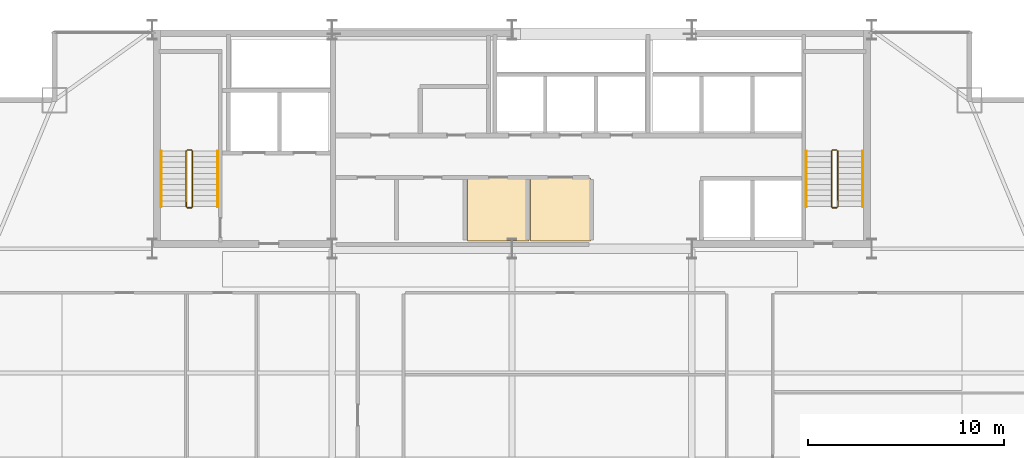
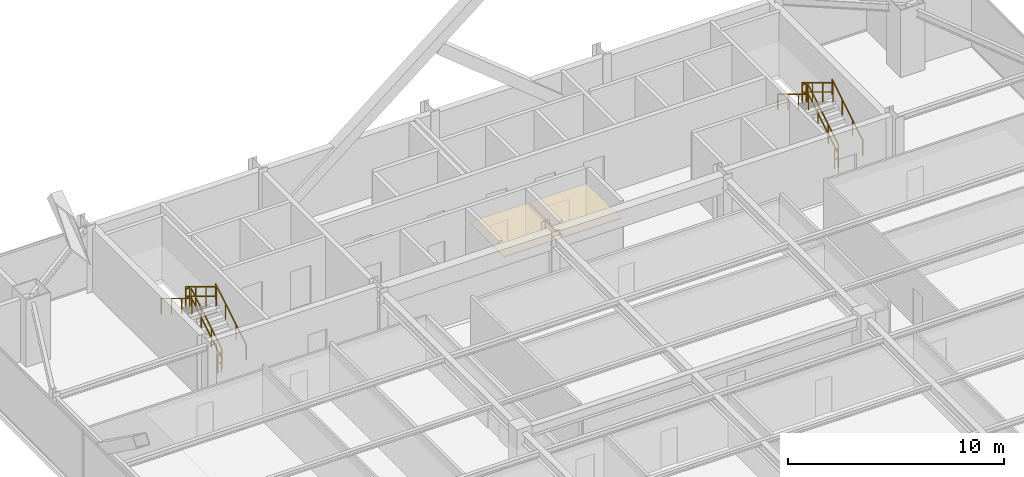
# One storey, part 34 of 34: 12 railings, 2 coverings.
"""IFC4 building model written with IfcOpenShell, lengths in metres."""

from ifc_helpers import new_model, si_unit, direction, frame, origin, origin_2d, place, context, subcontext, project, spatial, polyline, rectangle, outline, extrude, material, layer, layer_set, type_object, element, save


model = new_model("IFC4")

# Units and contexts
model_context = context("Model", 3, precision=1e-05, world=origin(), true_north=direction((0.0, 1.0)))
body_context = subcontext(model_context, "Body", "Model", "MODEL_VIEW")
ifc_project = project(units=[si_unit("LENGTHUNIT", "METRE"), si_unit("AREAUNIT", "SQUARE_METRE"), si_unit("VOLUMEUNIT", "CUBIC_METRE"), si_unit("PLANEANGLEUNIT", "RADIAN"), si_unit("MASSUNIT", "GRAM", prefix="KILO")], contexts=[model_context])

# Site, building, storey
site_placement = place(None, origin())
site = spatial("IfcSite", under=ifc_project, at=site_placement, CompositionType="ELEMENT")
building_placement = place(site_placement, origin())
building = spatial("IfcBuilding", under=site, at=building_placement, Name="Varnel Quay Broadcast Tower", CompositionType="ELEMENT")
storey_placement = place(building_placement, frame((0.0, 0.0, 176.199951171875)))
storey = spatial("IfcBuildingStorey", under=building, at=storey_placement, Name="L43", CompositionType="ELEMENT", Elevation=176.199951171875)

# Coverings
ifc_material_1 = material(Name="Micro-Perforated Acoustic Ceiling Tile")
ifc_layer = layer(ifc_material_1, 0.0400390625, Name="Micro-Perforated Acoustic Ceiling Tile")
ifc_layer_set = layer_set([ifc_layer], Name="Micro-Perforated Acoustic Ceiling Tile")
covering_type = type_object("IfcCoveringType", Name="Cov_AcousticCeiling", PredefinedType="CEILING", material=ifc_layer_set)
covering_1_placement = place(storey_placement, frame((0.0, 0.0, 2.580078125)))
element("IfcCovering", 1, at=covering_1_placement, inside=storey, type_object=covering_type, Name="L43 Broadcast First-Aid & Quiet Room Acoustic Ceiling", PredefinedType="CEILING", context=body_context, shape_type="SweptSolid", body=[
    extrude(outline(polyline([(31.735107421875, 35.985107421875), (34.864990234375, 35.985107421875), (34.864990234375, 39.215087890625), (31.735107421875, 39.215087890625), (31.735107421875, 35.985107421875)])), origin(), (0.0, 0.0, 1.0), 0.0400390625),
])
covering_2_placement = place(storey_placement, frame((0.0, 0.0, 2.580078125)))
element("IfcCovering", 2, at=covering_2_placement, inside=storey, type_object=covering_type, Name="L43 Zone Lighting Dimmer Room Acoustic Ceiling", PredefinedType="CEILING", context=body_context, shape_type="SweptSolid", body=[
    extrude(outline(polyline([(34.93505859375, 35.985107421875), (38.014892578125, 35.985107421875), (38.014892578125, 39.215087890625), (34.93505859375, 39.215087890625), (34.93505859375, 35.985107421875)])), origin(), (0.0, 0.0, 1.0), 0.0400390625),
])

# Railings
ifc_material_2 = material(Name="Painted Steel Guard and Handrail CSA G40.21 350W", Category="steel")
railing_type_1 = type_object("IfcRailingType", Name="Rail_StairGuard1100", PredefinedType="GUARDRAIL", material=ifc_material_2)
railing_1_placement = place(storey_placement, frame((17.64990234375, 37.75, 0.1728515625)))
element("IfcRailing", 3, at=railing_1_placement, inside=storey, type_object=railing_type_1, Name="L43 ST-01 stair guard 1", PredefinedType="GUARDRAIL", context=body_context, shape_type="SweptSolid", body=[
    extrude(rectangle(XDim=0.048095703125, YDim=0.048095703125, at=origin_2d()), frame((0.0, 0.0, 1.076171875), z_axis=(0.0, 0.855202751398, 0.518293598264), x_axis=(-1.0, 0.0, 0.0)), (0.0, 0.0, 1.0), 3.332763671875),
    extrude(rectangle(XDim=0.048095703125, YDim=0.048095703125, at=origin_2d()), frame((0.0, 0.0, 0.550048828125), z_axis=(0.0, 0.855202751398, 0.518293598264), x_axis=(-1.0, 0.0, 0.0)), (0.0, 0.0, 1.0), 3.332763671875),
    extrude(rectangle(XDim=0.0419921875, YDim=0.0419921875, at=origin_2d()), origin(), (0.0, 0.0, 1.0), 1.052001953125),
    extrude(rectangle(XDim=0.0419921875, YDim=0.0419921875, at=origin_2d()), frame((0.0, 0.949951171875, 0.57568359375)), (0.0, 0.0, 1.0), 1.052001953125),
    extrude(rectangle(XDim=0.0419921875, YDim=0.0419921875, at=origin_2d()), frame((0.0, 1.900146484375, 1.151611328125)), (0.0, 0.0, 1.0), 1.052001953125),
    extrude(rectangle(XDim=0.0419921875, YDim=0.0419921875, at=origin_2d()), frame((0.0, 2.85009765625, 1.727294921875)), (0.0, 0.0, 1.0), 1.052001953125),
])
railing_2_placement = place(storey_placement, frame((17.60009765625, 40.64990234375, 1.900146484375)))
element("IfcRailing", 4, at=railing_2_placement, inside=storey, type_object=railing_type_1, Name="L43 ST-01 stair guard 2", PredefinedType="GUARDRAIL", context=body_context, shape_type="SweptSolid", body=[
    extrude(rectangle(XDim=0.048095703125, YDim=0.048095703125, at=origin_2d()), frame((0.0, 0.0, 1.076171875), z_axis=(-1.0, 0.0, 0.0), x_axis=(0.0, -1.0, 0.0)), (0.0, 0.0, 1.0), 0.2001953125),
    extrude(rectangle(XDim=0.048095703125, YDim=0.048095703125, at=origin_2d()), frame((0.0, 0.0, 0.550048828125), z_axis=(-1.0, 0.0, 0.0), x_axis=(0.0, -1.0, 0.0)), (0.0, 0.0, 1.0), 0.2001953125),
    extrude(rectangle(XDim=0.0419921875, YDim=0.0419921875, at=origin_2d()), origin(), (0.0, 0.0, 1.0), 1.052001953125),
    extrude(rectangle(XDim=0.0419921875, YDim=0.0419921875, at=origin_2d()), frame((-0.2001953125, 0.0, 0.0)), (0.0, 0.0, 1.0), 1.052001953125),
])
railing_3_placement = place(storey_placement, frame((17.35009765625, 40.60009765625, 2.07275390625)))
element("IfcRailing", 5, at=railing_3_placement, inside=storey, type_object=railing_type_1, Name="L43 ST-01 stair guard 3", PredefinedType="GUARDRAIL", context=body_context, shape_type="SweptSolid", body=[
    extrude(rectangle(XDim=0.048095703125, YDim=0.048095703125, at=origin_2d()), frame((0.0, 0.0, 1.076171875), z_axis=(0.0, -0.855202751398, 0.518293598264), x_axis=(1.0, 0.0, 0.0)), (0.0, 0.0, 1.0), 3.332763671875),
    extrude(rectangle(XDim=0.048095703125, YDim=0.048095703125, at=origin_2d()), frame((0.0, 0.0, 0.550048828125), z_axis=(0.0, -0.855202751398, 0.518293598264), x_axis=(1.0, 0.0, 0.0)), (0.0, 0.0, 1.0), 3.332763671875),
    extrude(rectangle(XDim=0.0419921875, YDim=0.0419921875, at=origin_2d()), origin(), (0.0, 0.0, 1.0), 1.052001953125),
    extrude(rectangle(XDim=0.0419921875, YDim=0.0419921875, at=origin_2d()), frame((0.0, -0.949951171875, 0.57568359375)), (0.0, 0.0, 1.0), 1.052001953125),
    extrude(rectangle(XDim=0.0419921875, YDim=0.0419921875, at=origin_2d()), frame((0.0, -1.900146484375, 1.151611328125)), (0.0, 0.0, 1.0), 1.052001953125),
    extrude(rectangle(XDim=0.0419921875, YDim=0.0419921875, at=origin_2d()), frame((0.0, -2.85009765625, 1.727294921875)), (0.0, 0.0, 1.0), 1.052001953125),
])
railing_4_placement = place(storey_placement, frame((17.60009765625, 37.699951171875, 0.0)))
element("IfcRailing", 6, at=railing_4_placement, inside=storey, type_object=railing_type_1, Name="L43 ST-01 stair guard 4", PredefinedType="GUARDRAIL", context=body_context, shape_type="SweptSolid", body=[
    extrude(rectangle(XDim=0.048095703125, YDim=0.048095703125, at=origin_2d()), frame((0.0, 0.0, 1.076171875), z_axis=(-1.0, 0.0, 0.0), x_axis=(0.0, -1.0, 0.0)), (0.0, 0.0, 1.0), 0.2001953125),
    extrude(rectangle(XDim=0.048095703125, YDim=0.048095703125, at=origin_2d()), frame((0.0, 0.0, 0.550048828125), z_axis=(-1.0, 0.0, 0.0), x_axis=(0.0, -1.0, 0.0)), (0.0, 0.0, 1.0), 0.2001953125),
    extrude(rectangle(XDim=0.0419921875, YDim=0.0419921875, at=origin_2d()), origin(), (0.0, 0.0, 1.0), 1.052001953125),
    extrude(rectangle(XDim=0.0419921875, YDim=0.0419921875, at=origin_2d()), frame((-0.2001953125, 0.0, 0.0)), (0.0, 0.0, 1.0), 1.052001953125),
])
railing_5_placement = place(storey_placement, frame((50.64990234375, 37.75, 0.1728515625)))
element("IfcRailing", 7, at=railing_5_placement, inside=storey, type_object=railing_type_1, Name="L43 ST-02 stair guard 1", PredefinedType="GUARDRAIL", context=body_context, shape_type="SweptSolid", body=[
    extrude(rectangle(XDim=0.048095703125, YDim=0.048095703125, at=origin_2d()), frame((0.0, 0.0, 1.076171875), z_axis=(0.0, 0.855202751398, 0.518293598264), x_axis=(-1.0, 0.0, 0.0)), (0.0, 0.0, 1.0), 3.332763671875),
    extrude(rectangle(XDim=0.048095703125, YDim=0.048095703125, at=origin_2d()), frame((0.0, 0.0, 0.550048828125), z_axis=(0.0, 0.855202751398, 0.518293598264), x_axis=(-1.0, 0.0, 0.0)), (0.0, 0.0, 1.0), 3.332763671875),
    extrude(rectangle(XDim=0.0419921875, YDim=0.0419921875, at=origin_2d()), origin(), (0.0, 0.0, 1.0), 1.052001953125),
    extrude(rectangle(XDim=0.0419921875, YDim=0.0419921875, at=origin_2d()), frame((0.0, 0.949951171875, 0.57568359375)), (0.0, 0.0, 1.0), 1.052001953125),
    extrude(rectangle(XDim=0.0419921875, YDim=0.0419921875, at=origin_2d()), frame((0.0, 1.900146484375, 1.151611328125)), (0.0, 0.0, 1.0), 1.052001953125),
    extrude(rectangle(XDim=0.0419921875, YDim=0.0419921875, at=origin_2d()), frame((0.0, 2.85009765625, 1.727294921875)), (0.0, 0.0, 1.0), 1.052001953125),
])
railing_6_placement = place(storey_placement, frame((50.60009765625, 40.64990234375, 1.900146484375)))
element("IfcRailing", 8, at=railing_6_placement, inside=storey, type_object=railing_type_1, Name="L43 ST-02 stair guard 2", PredefinedType="GUARDRAIL", context=body_context, shape_type="SweptSolid", body=[
    extrude(rectangle(XDim=0.048095703125, YDim=0.048095703125, at=origin_2d()), frame((0.0, 0.0, 1.076171875), z_axis=(-1.0, 0.0, 0.0), x_axis=(0.0, -1.0, 0.0)), (0.0, 0.0, 1.0), 0.2001953125),
    extrude(rectangle(XDim=0.048095703125, YDim=0.048095703125, at=origin_2d()), frame((0.0, 0.0, 0.550048828125), z_axis=(-1.0, 0.0, 0.0), x_axis=(0.0, -1.0, 0.0)), (0.0, 0.0, 1.0), 0.2001953125),
    extrude(rectangle(XDim=0.0419921875, YDim=0.0419921875, at=origin_2d()), origin(), (0.0, 0.0, 1.0), 1.052001953125),
    extrude(rectangle(XDim=0.0419921875, YDim=0.0419921875, at=origin_2d()), frame((-0.2001953125, 0.0, 0.0)), (0.0, 0.0, 1.0), 1.052001953125),
])
railing_7_placement = place(storey_placement, frame((50.35009765625, 40.60009765625, 2.07275390625)))
element("IfcRailing", 9, at=railing_7_placement, inside=storey, type_object=railing_type_1, Name="L43 ST-02 stair guard 3", PredefinedType="GUARDRAIL", context=body_context, shape_type="SweptSolid", body=[
    extrude(rectangle(XDim=0.048095703125, YDim=0.048095703125, at=origin_2d()), frame((0.0, 0.0, 1.076171875), z_axis=(0.0, -0.855202751398, 0.518293598264), x_axis=(1.0, 0.0, 0.0)), (0.0, 0.0, 1.0), 3.332763671875),
    extrude(rectangle(XDim=0.048095703125, YDim=0.048095703125, at=origin_2d()), frame((0.0, 0.0, 0.550048828125), z_axis=(0.0, -0.855202751398, 0.518293598264), x_axis=(1.0, 0.0, 0.0)), (0.0, 0.0, 1.0), 3.332763671875),
    extrude(rectangle(XDim=0.0419921875, YDim=0.0419921875, at=origin_2d()), origin(), (0.0, 0.0, 1.0), 1.052001953125),
    extrude(rectangle(XDim=0.0419921875, YDim=0.0419921875, at=origin_2d()), frame((0.0, -0.949951171875, 0.57568359375)), (0.0, 0.0, 1.0), 1.052001953125),
    extrude(rectangle(XDim=0.0419921875, YDim=0.0419921875, at=origin_2d()), frame((0.0, -1.900146484375, 1.151611328125)), (0.0, 0.0, 1.0), 1.052001953125),
    extrude(rectangle(XDim=0.0419921875, YDim=0.0419921875, at=origin_2d()), frame((0.0, -2.85009765625, 1.727294921875)), (0.0, 0.0, 1.0), 1.052001953125),
])
railing_8_placement = place(storey_placement, frame((50.60009765625, 37.699951171875, 0.0)))
element("IfcRailing", 10, at=railing_8_placement, inside=storey, type_object=railing_type_1, Name="L43 ST-02 stair guard 4", PredefinedType="GUARDRAIL", context=body_context, shape_type="SweptSolid", body=[
    extrude(rectangle(XDim=0.048095703125, YDim=0.048095703125, at=origin_2d()), frame((0.0, 0.0, 1.076171875), z_axis=(-1.0, 0.0, 0.0), x_axis=(0.0, -1.0, 0.0)), (0.0, 0.0, 1.0), 0.2001953125),
    extrude(rectangle(XDim=0.048095703125, YDim=0.048095703125, at=origin_2d()), frame((0.0, 0.0, 0.550048828125), z_axis=(-1.0, 0.0, 0.0), x_axis=(0.0, -1.0, 0.0)), (0.0, 0.0, 1.0), 0.2001953125),
    extrude(rectangle(XDim=0.0419921875, YDim=0.0419921875, at=origin_2d()), origin(), (0.0, 0.0, 1.0), 1.052001953125),
    extrude(rectangle(XDim=0.0419921875, YDim=0.0419921875, at=origin_2d()), frame((-0.2001953125, 0.0, 0.0)), (0.0, 0.0, 1.0), 1.052001953125),
])
railing_type_2 = type_object("IfcRailingType", Name="Rail_StairHandrail900", PredefinedType="HANDRAIL", material=ifc_material_2)
railing_9_placement = place(storey_placement, frame((18.949951171875, 37.75, 0.1728515625)))
element("IfcRailing", 11, at=railing_9_placement, inside=storey, type_object=railing_type_2, Name="L43 ST-01 stair handrail 1", PredefinedType="HANDRAIL", context=body_context, shape_type="SweptSolid", body=[
    extrude(rectangle(XDim=0.048095703125, YDim=0.048095703125, at=origin_2d()), frame((0.0, 0.0, 0.8759765625), z_axis=(0.0, 0.855202751398, 0.518293598264), x_axis=(-1.0, 0.0, 0.0)), (0.0, 0.0, 1.0), 3.332763671875),
    extrude(rectangle(XDim=0.0419921875, YDim=0.0419921875, at=origin_2d()), origin(), (0.0, 0.0, 1.0), 0.851806640625),
    extrude(rectangle(XDim=0.0419921875, YDim=0.0419921875, at=origin_2d()), frame((0.0, 0.949951171875, 0.57568359375)), (0.0, 0.0, 1.0), 0.851806640625),
    extrude(rectangle(XDim=0.0419921875, YDim=0.0419921875, at=origin_2d()), frame((0.0, 1.900146484375, 1.151611328125)), (0.0, 0.0, 1.0), 0.851806640625),
    extrude(rectangle(XDim=0.0419921875, YDim=0.0419921875, at=origin_2d()), frame((0.0, 2.85009765625, 1.727294921875)), (0.0, 0.0, 1.0), 0.851806640625),
])
railing_10_placement = place(storey_placement, frame((16.050048828125, 40.60009765625, 2.07275390625)))
element("IfcRailing", 12, at=railing_10_placement, inside=storey, type_object=railing_type_2, Name="L43 ST-01 stair handrail 2", PredefinedType="HANDRAIL", context=body_context, shape_type="SweptSolid", body=[
    extrude(rectangle(XDim=0.048095703125, YDim=0.048095703125, at=origin_2d()), frame((0.0, 0.0, 0.8759765625), z_axis=(0.0, -0.855202751398, 0.518293598264), x_axis=(1.0, 0.0, 0.0)), (0.0, 0.0, 1.0), 3.332763671875),
    extrude(rectangle(XDim=0.0419921875, YDim=0.0419921875, at=origin_2d()), origin(), (0.0, 0.0, 1.0), 0.851806640625),
    extrude(rectangle(XDim=0.0419921875, YDim=0.0419921875, at=origin_2d()), frame((0.0, -0.949951171875, 0.57568359375)), (0.0, 0.0, 1.0), 0.851806640625),
    extrude(rectangle(XDim=0.0419921875, YDim=0.0419921875, at=origin_2d()), frame((0.0, -1.900146484375, 1.151611328125)), (0.0, 0.0, 1.0), 0.851806640625),
    extrude(rectangle(XDim=0.0419921875, YDim=0.0419921875, at=origin_2d()), frame((0.0, -2.85009765625, 1.727294921875)), (0.0, 0.0, 1.0), 0.851806640625),
])
railing_11_placement = place(storey_placement, frame((51.949951171875, 37.75, 0.1728515625)))
element("IfcRailing", 13, at=railing_11_placement, inside=storey, type_object=railing_type_2, Name="L43 ST-02 stair handrail 1", PredefinedType="HANDRAIL", context=body_context, shape_type="SweptSolid", body=[
    extrude(rectangle(XDim=0.048095703125, YDim=0.048095703125, at=origin_2d()), frame((0.0, 0.0, 0.8759765625), z_axis=(0.0, 0.855202751398, 0.518293598264), x_axis=(-1.0, 0.0, 0.0)), (0.0, 0.0, 1.0), 3.332763671875),
    extrude(rectangle(XDim=0.0419921875, YDim=0.0419921875, at=origin_2d()), origin(), (0.0, 0.0, 1.0), 0.851806640625),
    extrude(rectangle(XDim=0.0419921875, YDim=0.0419921875, at=origin_2d()), frame((0.0, 0.949951171875, 0.57568359375)), (0.0, 0.0, 1.0), 0.851806640625),
    extrude(rectangle(XDim=0.0419921875, YDim=0.0419921875, at=origin_2d()), frame((0.0, 1.900146484375, 1.151611328125)), (0.0, 0.0, 1.0), 0.851806640625),
    extrude(rectangle(XDim=0.0419921875, YDim=0.0419921875, at=origin_2d()), frame((0.0, 2.85009765625, 1.727294921875)), (0.0, 0.0, 1.0), 0.851806640625),
])
railing_12_placement = place(storey_placement, frame((49.050048828125, 40.60009765625, 2.07275390625)))
element("IfcRailing", 14, at=railing_12_placement, inside=storey, type_object=railing_type_2, Name="L43 ST-02 stair handrail 2", PredefinedType="HANDRAIL", context=body_context, shape_type="SweptSolid", body=[
    extrude(rectangle(XDim=0.048095703125, YDim=0.048095703125, at=origin_2d()), frame((0.0, 0.0, 0.8759765625), z_axis=(0.0, -0.855202751398, 0.518293598264), x_axis=(1.0, 0.0, 0.0)), (0.0, 0.0, 1.0), 3.332763671875),
    extrude(rectangle(XDim=0.0419921875, YDim=0.0419921875, at=origin_2d()), origin(), (0.0, 0.0, 1.0), 0.851806640625),
    extrude(rectangle(XDim=0.0419921875, YDim=0.0419921875, at=origin_2d()), frame((0.0, -0.949951171875, 0.57568359375)), (0.0, 0.0, 1.0), 0.851806640625),
    extrude(rectangle(XDim=0.0419921875, YDim=0.0419921875, at=origin_2d()), frame((0.0, -1.900146484375, 1.151611328125)), (0.0, 0.0, 1.0), 0.851806640625),
    extrude(rectangle(XDim=0.0419921875, YDim=0.0419921875, at=origin_2d()), frame((0.0, -2.85009765625, 1.727294921875)), (0.0, 0.0, 1.0), 0.851806640625),
])

save(model, "model.ifc")
